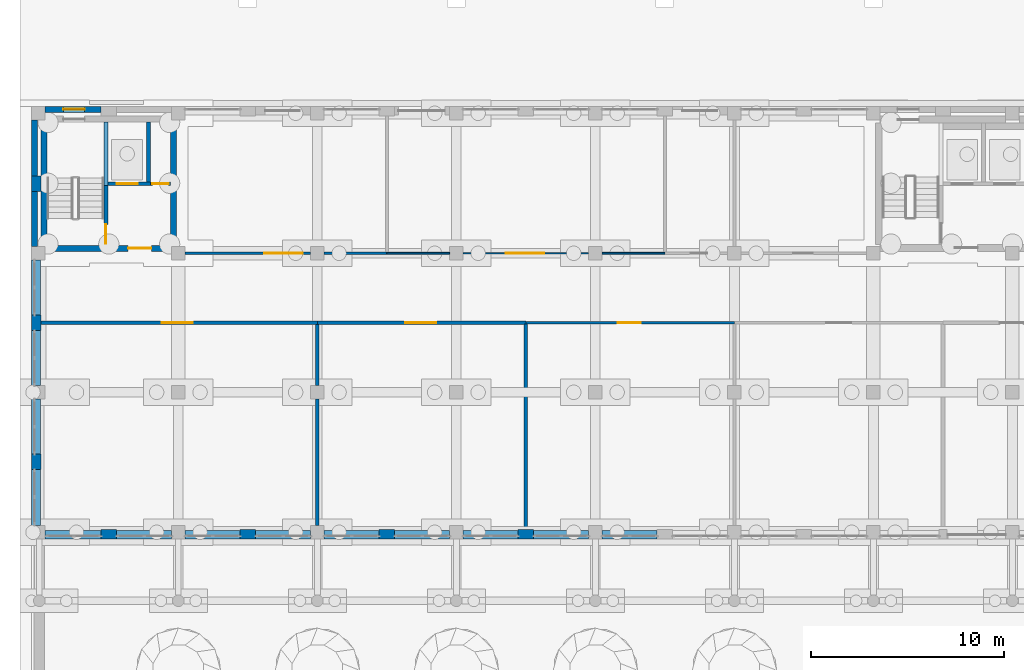
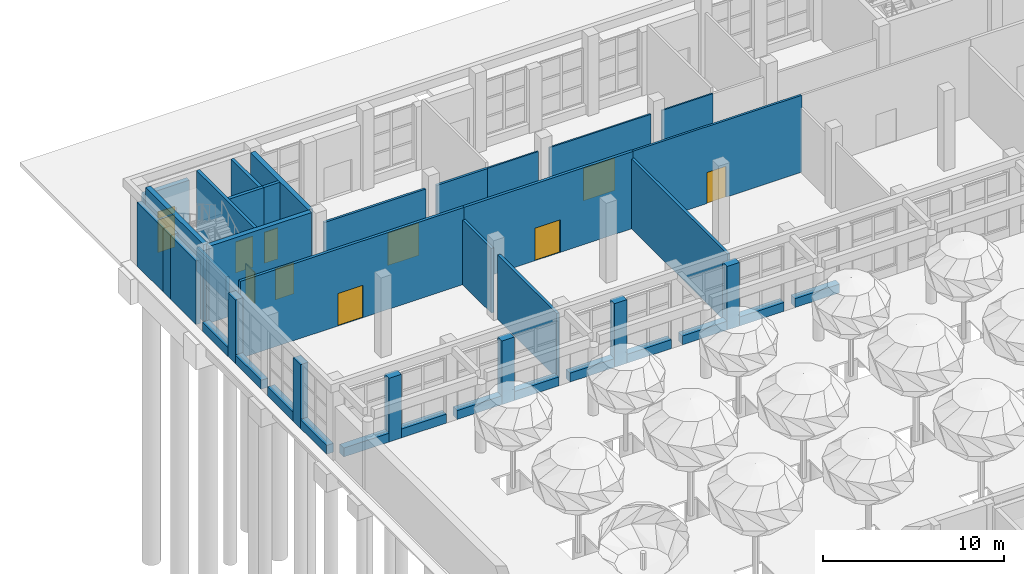
# One storey, part 48 of 80: 42 walls, 10 doors, 1 window, 11 openings.
"""IFC4 building model written with IfcOpenShell, lengths in metres."""

from ifc_helpers import new_model, si_unit, direction, frame, frame_2d, origin, place, context, subcontext, project, spatial, rectangle, extrude, material, layer, layer_set, type_object, element, fill, save


model = new_model("IFC4")

# Units and contexts
model_context = context("Model", 3, precision=1e-05, world=origin(), true_north=direction((0.0, 1.0)))
body_context = subcontext(model_context, "Body", "Model", "MODEL_VIEW")
ifc_project = project(units=[si_unit("LENGTHUNIT", "METRE"), si_unit("AREAUNIT", "SQUARE_METRE"), si_unit("VOLUMEUNIT", "CUBIC_METRE"), si_unit("PLANEANGLEUNIT", "RADIAN"), si_unit("MASSUNIT", "GRAM", prefix="KILO")], contexts=[model_context])

# Site, building, storey
site_placement = place(None, origin())
site = spatial("IfcSite", under=ifc_project, at=site_placement, CompositionType="ELEMENT")
building_placement = place(site_placement, origin())
building = spatial("IfcBuilding", under=site, at=building_placement, Name="Ussher Court Research Institute", CompositionType="ELEMENT")
storey_placement = place(building_placement, origin())
storey = spatial("IfcBuildingStorey", under=building, at=storey_placement, Name="L00", CompositionType="ELEMENT", Elevation=0.0)

# Walls
ifc_material_1 = material(Name="Limestone facing on blockwork", Category="masonry")
ifc_layer_1 = layer(ifc_material_1, 0.300048828125)
ifc_layer_set_1 = layer_set([ifc_layer_1], Name="Limestone facing on blockwork")
wall_type_1 = type_object("IfcWallType", Name="External wall 300 stair enclosure", PredefinedType="SOLIDWALL", material=ifc_layer_set_1)
wall_1_placement = place(storey_placement, frame((2.75, 83.550048828125, 0.0), z_axis=(0.0, 0.0, 1.0), x_axis=(0.0, 1.0, 0.0)))
element("IfcWall", 1, at=wall_1_placement, inside=storey, type_object=wall_type_1, Name="External wall EW5 L00", PredefinedType="SOLIDWALL", context=body_context, shape_type="SweptSolid", body=[
    extrude(rectangle(XDim=2.849853515625, YDim=0.300048828125, at=frame_2d((1.4248046875, 0.0))), origin(), (0.0, 0.0, 1.0), 4.300048828125),
])
wall_2_placement = place(storey_placement, frame((2.75, 87.199951171875, 0.0), z_axis=(0.0, 0.0, 1.0), x_axis=(0.0, 1.0, 0.0)))
element("IfcWall", 2, at=wall_2_placement, inside=storey, type_object=wall_type_1, Name="External wall EW5 L00", PredefinedType="SOLIDWALL", context=body_context, shape_type="SweptSolid", body=[
    extrude(rectangle(XDim=2.900146484375, YDim=0.300048828125, at=frame_2d((1.4501953125, 0.0))), origin(), (0.0, 0.0, 1.0), 4.300048828125),
])

# Wall, openings, door, window
wall_3_placement = place(storey_placement, frame((3.300048828125, 90.64990234375, 0.0), z_axis=(0.0, 0.0, 1.0), x_axis=(1.0, 0.0, 0.0)))
wall_3 = element("IfcWall", 3, at=wall_3_placement, inside=storey, type_object=wall_type_1, Name="External wall EW5 L00", PredefinedType="SOLIDWALL", context=body_context, shape_type="SweptSolid", body=[
    extrude(rectangle(XDim=2.89990234375, YDim=0.300048828125, at=frame_2d((1.449951171875, 0.0))), origin(), (0.0, 0.0, 1.0), 4.300048828125),
])
opening_1_placement = place(wall_3_placement, frame((0.949951171875, 0.0, 0.0)))
opening_1 = element("IfcOpeningElement", 4, at=opening_1_placement, cuts=wall_3, Name="Opening DX16", PredefinedType="OPENING", context=body_context, shape_type="SweptSolid", body=[
    extrude(rectangle(XDim=1.10009765625, YDim=2.199951171875, at=frame_2d((0.550048828125, 1.10009765625))), frame((0.0, 0.16015625, 0.0), z_axis=(0.0, -1.0, 0.0), x_axis=(1.0, 0.0, 0.0)), (0.0, 0.0, 1.0), 0.320068359375),
])
opening_2_placement = place(wall_3_placement, frame((0.949951171875, 0.0, 2.300048828125)))
opening_2 = element("IfcOpeningElement", 5, at=opening_2_placement, cuts=wall_3, Name="Opening W18", PredefinedType="OPENING", context=body_context, shape_type="SweptSolid", body=[
    extrude(rectangle(XDim=1.10009765625, YDim=0.449951171875, at=frame_2d((0.550048828125, 0.22509765625))), frame((0.0, 0.16015625, 0.0), z_axis=(0.0, -1.0, 0.0), x_axis=(1.0, 0.0, 0.0)), (0.0, 0.0, 1.0), 0.320068359375),
])
ifc_material_2 = material(Name="Painted steel", Category="steel")
door_type_1 = type_object("IfcDoorType", Name="Stair discharge door 1100x2200", OperationType="SINGLE_SWING_LEFT", PredefinedType="DOOR", material=ifc_material_2)
door_1_placement = place(opening_1_placement, origin())
door_1 = element("IfcDoor", 6, at=door_1_placement, inside=storey, type_object=door_type_1, Name="Door DX16", OperationType="SINGLE_SWING_LEFT", OverallHeight=2.199951171875, OverallWidth=1.10009765625, PredefinedType="DOOR", context=body_context, shape_type="SweptSolid", body=[
    extrude(rectangle(XDim=1.10009765625, YDim=2.199951171875, at=frame_2d((0.550048828125, 1.10009765625))), frame((0.0, 0.02490234375, 0.0), z_axis=(0.0, -1.0, 0.0), x_axis=(1.0, 0.0, 0.0)), (0.0, 0.0, 1.0), 0.050048828125),
])
fill(opening_1, door_1)
ifc_material_3 = material(Name="Bronze anodised aluminium with double glazing", Category="aluminium")
window_type = type_object("IfcWindowType", Name="Stair discharge transom light 1100x450", PartitioningType="SINGLE_PANEL", PredefinedType="WINDOW", material=ifc_material_3)
window_placement = place(opening_2_placement, origin())
window = element("IfcWindow", 7, at=window_placement, inside=storey, type_object=window_type, Name="Window W18 L00", OverallHeight=0.449951171875, OverallWidth=1.10009765625, PartitioningType="SINGLE_PANEL", PredefinedType="WINDOW", context=body_context, shape_type="SweptSolid", body=[
    extrude(rectangle(XDim=1.10009765625, YDim=0.449951171875, at=frame_2d((0.550048828125, 0.22509765625))), frame((0.0, 0.030029296875, 0.0), z_axis=(0.0, -1.0, 0.0), x_axis=(1.0, 0.0, 0.0)), (0.0, 0.0, 1.0), 0.06005859375),
])
fill(opening_2, window)

# Wall, opening, door
ifc_material_4 = material(Name="Plastered blockwork", Category="masonry")
ifc_layer_2 = layer(ifc_material_4, 0.14990234375)
ifc_layer_set_2 = layer_set([ifc_layer_2], Name="Plastered blockwork")
wall_type_2 = type_object("IfcWallType", Name="Fire partition blockwork 150 EI 60", PredefinedType="PARTITIONING", material=ifc_layer_set_2)
wall_4_placement = place(storey_placement, frame((10.550048828125, 83.199951171875, 0.0), z_axis=(0.0, 0.0, 1.0), x_axis=(1.0, 0.0, 0.0)))
wall_4 = element("IfcWall", 8, at=wall_4_placement, inside=storey, type_object=wall_type_2, Name="Fire partition", PredefinedType="PARTITIONING", context=body_context, shape_type="SweptSolid", body=[
    extrude(rectangle(XDim=6.5, YDim=0.14990234375, at=frame_2d((3.25, 0.0))), origin(), (0.0, 0.0, 1.0), 4.3701171875),
])
opening_3_placement = place(wall_4_placement, frame((4.10009765625, 0.0, 0.0)))
opening_3 = element("IfcOpeningElement", 9, at=opening_3_placement, cuts=wall_4, Name="Opening D00015", PredefinedType="OPENING", context=body_context, shape_type="SweptSolid", body=[
    extrude(rectangle(XDim=2.0, YDim=2.199951171875, at=frame_2d((1.0, 1.10009765625))), frame((0.0, 0.0849609375, 0.0), z_axis=(0.0, -1.0, 0.0), x_axis=(1.0, 0.0, 0.0)), (0.0, 0.0, 1.0), 0.169921875),
])
ifc_material_5 = material(Name="Painted steel faced fire door", Category="steel")
door_type_2 = type_object("IfcDoorType", Name="Stage and goods door 2000x2200 FD60 double leaf", OperationType="DOUBLE_DOOR_SINGLE_SWING", PredefinedType="DOOR", material=ifc_material_5)
door_2_placement = place(opening_3_placement, origin())
door_2 = element("IfcDoor", 10, at=door_2_placement, inside=storey, type_object=door_type_2, Name="Door D00015", OperationType="SINGLE_SWING_LEFT", OverallHeight=2.199951171875, OverallWidth=2.0, PredefinedType="DOOR", context=body_context, shape_type="SweptSolid", body=[
    extrude(rectangle(XDim=2.0, YDim=2.199951171875, at=frame_2d((1.0, 1.10009765625))), frame((0.0, 0.02490234375, 0.0), z_axis=(0.0, -1.0, 0.0), x_axis=(1.0, 0.0, 0.0)), (0.0, 0.0, 1.0), 0.050048828125),
])
fill(opening_3, door_2)

# Wall
wall_5_placement = place(storey_placement, frame((17.75, 83.199951171875, 0.0), z_axis=(0.0, 0.0, 1.0), x_axis=(1.0, 0.0, 0.0)))
element("IfcWall", 11, at=wall_5_placement, inside=storey, type_object=wall_type_2, Name="Fire partition", PredefinedType="PARTITIONING", context=body_context, shape_type="SweptSolid", body=[
    extrude(rectangle(XDim=3.25, YDim=0.14990234375, at=frame_2d((1.625, 0.0))), origin(), (0.0, 0.0, 1.0), 4.3701171875),
])

# Wall, opening, door
ifc_material_6 = material(Name="Plastered blockwork", Category="masonry")
ifc_layer_3 = layer(ifc_material_6, 0.139892578125)
ifc_layer_set_3 = layer_set([ifc_layer_3], Name="Plastered blockwork")
wall_type_3 = type_object("IfcWallType", Name="Laboratory blockwork partition 140", PredefinedType="PARTITIONING", material=ifc_layer_set_3)
wall_6_placement = place(storey_placement, frame((39.0, 79.60009765625, 0.0), z_axis=(0.0, 0.0, 1.0), x_axis=(-1.0, 0.0, 0.0)))
wall_6 = element("IfcWall", 12, at=wall_6_placement, inside=storey, type_object=wall_type_3, Name="Partition", PredefinedType="PARTITIONING", context=body_context, shape_type="SweptSolid", body=[
    extrude(rectangle(XDim=10.800048828125, YDim=0.139892578125, at=frame_2d((5.39990234375, 0.0))), origin(), (0.0, 0.0, 1.0), 5.199951171875),
])
opening_4_placement = place(wall_6_placement, frame((4.85009765625, 0.0, 0.0)))
opening_4 = element("IfcOpeningElement", 13, at=opening_4_placement, cuts=wall_6, Name="Opening D00033", PredefinedType="OPENING", context=body_context, shape_type="SweptSolid", body=[
    extrude(rectangle(XDim=1.199951171875, YDim=2.10009765625, at=frame_2d((0.60009765625, 1.050048828125))), frame((0.0, 0.080078125, 0.0), z_axis=(0.0, -1.0, 0.0), x_axis=(1.0, 0.0, 0.0)), (0.0, 0.0, 1.0), 0.159912109375),
])
ifc_material_7 = material(Name="Veneered timber door", Category="wood")
door_type_3 = type_object("IfcDoorType", Name="Laboratory door 1200x2100", OperationType="NOTDEFINED", PredefinedType="DOOR", material=ifc_material_7)
door_3_placement = place(opening_4_placement, origin())
door_3 = element("IfcDoor", 14, at=door_3_placement, inside=storey, type_object=door_type_3, Name="Door D00033", OperationType="SINGLE_SWING_RIGHT", OverallHeight=2.10009765625, OverallWidth=1.199951171875, PredefinedType="DOOR", context=body_context, shape_type="SweptSolid", body=[
    extrude(rectangle(XDim=1.199951171875, YDim=2.10009765625, at=frame_2d((0.60009765625, 1.050048828125))), frame((0.0, 0.02490234375, 0.0), z_axis=(0.0, -1.0, 0.0), x_axis=(1.0, 0.0, 0.0)), (0.0, 0.0, 1.0), 0.050048828125),
])
fill(opening_4, door_3)

# Wall
ifc_material_8 = material(Name="Plastered blockwork", Category="masonry")
ifc_layer_4 = layer(ifc_material_8, 0.10009765625)
ifc_layer_set_4 = layer_set([ifc_layer_4], Name="Plastered blockwork")
wall_type_4 = type_object("IfcWallType", Name="Partition plastered blockwork 100", PredefinedType="PARTITIONING", material=ifc_layer_set_4)
wall_7_placement = place(storey_placement, frame((21.0, 83.199951171875, 0.0), z_axis=(0.0, 0.0, 1.0), x_axis=(1.0, 0.0, 0.0)))
element("IfcWall", 15, at=wall_7_placement, inside=storey, type_object=wall_type_4, Name="Partition", PredefinedType="PARTITIONING", context=body_context, shape_type="SweptSolid", body=[
    extrude(rectangle(XDim=3.25, YDim=0.10009765625, at=frame_2d((1.625, 0.0))), origin(), (0.0, 0.0, 1.0), 4.3701171875),
])

# Wall, opening, door
wall_8_placement = place(storey_placement, frame((24.949951171875, 83.199951171875, 0.0), z_axis=(0.0, 0.0, 1.0), x_axis=(1.0, 0.0, 0.0)))
wall_8 = element("IfcWall", 16, at=wall_8_placement, inside=storey, type_object=wall_type_4, Name="Partition", PredefinedType="PARTITIONING", context=body_context, shape_type="SweptSolid", body=[
    extrude(rectangle(XDim=6.5, YDim=0.10009765625, at=frame_2d((3.25, 0.0))), origin(), (0.0, 0.0, 1.0), 4.3701171875),
])
opening_5_placement = place(wall_8_placement, frame((2.199951171875, 0.0, 0.0)))
opening_5 = element("IfcOpeningElement", 17, at=opening_5_placement, cuts=wall_8, Name="Opening D00027", PredefinedType="OPENING", context=body_context, shape_type="SweptSolid", body=[
    extrude(rectangle(XDim=2.0, YDim=2.199951171875, at=frame_2d((1.0, 1.10009765625))), frame((0.0, 0.06005859375, 0.0), z_axis=(0.0, -1.0, 0.0), x_axis=(1.0, 0.0, 0.0)), (0.0, 0.0, 1.0), 0.1201171875),
])
ifc_material_9 = material(Name="Veneered timber door", Category="wood")
door_type_4 = type_object("IfcDoorType", Name="Stage and goods door 2000x2200 double leaf", OperationType="DOUBLE_DOOR_SINGLE_SWING", PredefinedType="DOOR", material=ifc_material_9)
door_4_placement = place(opening_5_placement, origin())
door_4 = element("IfcDoor", 18, at=door_4_placement, inside=storey, type_object=door_type_4, Name="Door D00027", OperationType="SINGLE_SWING_LEFT", OverallHeight=2.199951171875, OverallWidth=2.0, PredefinedType="DOOR", context=body_context, shape_type="SweptSolid", body=[
    extrude(rectangle(XDim=2.0, YDim=2.199951171875, at=frame_2d((1.0, 1.10009765625))), frame((0.0, 0.02490234375, 0.0), z_axis=(0.0, -1.0, 0.0), x_axis=(1.0, 0.0, 0.0)), (0.0, 0.0, 1.0), 0.050048828125),
])
fill(opening_5, door_4)

# Walls
wall_9_placement = place(storey_placement, frame((32.14990234375, 83.199951171875, 0.0), z_axis=(0.0, 0.0, 1.0), x_axis=(1.0, 0.0, 0.0)))
element("IfcWall", 19, at=wall_9_placement, inside=storey, type_object=wall_type_4, Name="Partition", PredefinedType="PARTITIONING", context=body_context, shape_type="SweptSolid", body=[
    extrude(rectangle(XDim=3.25, YDim=0.10009765625, at=frame_2d((1.625, 0.0))), origin(), (0.0, 0.0, 1.0), 4.3701171875),
])
ifc_material_10 = material(Name="Rusticated limestone facing on blockwork", Category="masonry")
ifc_layer_5 = layer(ifc_material_10, 0.5)
ifc_layer_set_5 = layer_set([ifc_layer_5], Name="Rusticated limestone facing on blockwork")
wall_type_5 = type_object("IfcWallType", Name="Pier 800x500 rusticated limestone", PredefinedType="SOLIDWALL", material=ifc_layer_set_5)
for number, where, z_axis, x_axis, name in (
    (20, (2.85009765625, 72.0, 0.0), (0.0, 0.0, 1.0), (0.0, 1.0, 0.0), "Pier PR2 L00"),
    (21, (2.85009765625, 79.199951171875, 0.0), (0.0, 0.0, 1.0), (0.0, 1.0, 0.0), "Pier PR2 L00"),
    (22, (2.85009765625, 86.39990234375, 0.0), (0.0, 0.0, 1.0), (0.0, 1.0, 0.0), "Pier PR2 L00"),
    (23, (28.60009765625, 68.64990234375, 0.0), (0.0, 0.0, 1.0), (-1.0, 0.0, 0.0), "Pier PR2 L00"),
):
    element("IfcWall", number, at=place(storey_placement, frame(where, z_axis=z_axis, x_axis=x_axis)), inside=storey, type_object=wall_type_5, Name=name, PredefinedType="SOLIDWALL", context=body_context, shape_type="SweptSolid", body=[
        extrude(rectangle(XDim=0.800048828125, YDim=0.5, at=frame_2d((0.39990234375, 0.0))), origin(), (0.0, 0.0, 1.0), 4.300048828125),
    ])
wall_10_placement = place(storey_placement, frame((21.39990234375, 68.64990234375, 0.0), z_axis=(0.0, 0.0, 1.0), x_axis=(-1.0, 0.0, 0.0)))
element("IfcWall", 24, at=wall_10_placement, inside=storey, type_object=wall_type_5, Name="Pier PR2 L00", PredefinedType="SOLIDWALL", context=body_context, shape_type="SweptSolid", body=[
    extrude(rectangle(XDim=0.7998046875, YDim=0.5, at=frame_2d((0.39990234375, 0.0))), origin(), (0.0, 0.0, 1.0), 4.300048828125),
])
for number, where, z_axis, x_axis, name in (
    (25, (14.199951171875, 68.64990234375, 0.0), (0.0, 0.0, 1.0), (-1.0, 0.0, 0.0), "Pier PR2 L00"),
    (26, (7.0, 68.64990234375, 0.0), (0.0, 0.0, 1.0), (-1.0, 0.0, 0.0), "Pier PR2 L00"),
):
    element("IfcWall", number, at=place(storey_placement, frame(where, z_axis=z_axis, x_axis=x_axis)), inside=storey, type_object=wall_type_5, Name=name, PredefinedType="SOLIDWALL", context=body_context, shape_type="SweptSolid", body=[
        extrude(rectangle(XDim=0.800048828125, YDim=0.5, at=frame_2d((0.39990234375, 0.0))), origin(), (0.0, 0.0, 1.0), 4.300048828125),
    ])
ifc_material_11 = material(Name="Rusticated limestone facing on blockwork", Category="masonry")
ifc_layer_6 = layer(ifc_material_11, 0.449951171875)
ifc_layer_set_6 = layer_set([ifc_layer_6], Name="Rusticated limestone facing on blockwork")
wall_type_6 = type_object("IfcWallType", Name="Plinth wall 450 rusticated limestone", PredefinedType="SOLIDWALL", material=ifc_layer_set_6)
wall_11_placement = place(storey_placement, frame((2.824951171875, 69.10009765625, 0.0), z_axis=(0.0, 0.0, 1.0), x_axis=(0.0, 1.0, 0.0)))
element("IfcWall", 27, at=wall_11_placement, inside=storey, type_object=wall_type_6, Name="Plinth wall EW4 L00", PredefinedType="SOLIDWALL", context=body_context, shape_type="SweptSolid", body=[
    extrude(rectangle(XDim=2.89990234375, YDim=0.449951171875, at=frame_2d((1.449951171875, 0.0))), origin(), (0.0, 0.0, 1.0), 0.60009765625),
])
for number, where, z_axis, x_axis, name in (
    (28, (2.824951171875, 72.800048828125, 0.0), (0.0, 0.0, 1.0), (0.0, 1.0, 0.0), "Plinth wall EW4 L00"),
    (29, (2.824951171875, 76.35009765625, 0.0), (0.0, 0.0, 1.0), (0.0, 1.0, 0.0), "Plinth wall EW4 L00"),
):
    element("IfcWall", number, at=place(storey_placement, frame(where, z_axis=z_axis, x_axis=x_axis)), inside=storey, type_object=wall_type_6, Name=name, PredefinedType="SOLIDWALL", context=body_context, shape_type="SweptSolid", body=[
        extrude(rectangle(XDim=2.849853515625, YDim=0.449951171875, at=frame_2d((1.4248046875, 0.0))), origin(), (0.0, 0.0, 1.0), 0.60009765625),
    ])
for number, where, z_axis, x_axis, name in (
    (30, (2.824951171875, 80.0, 0.0), (0.0, 0.0, 1.0), (0.0, 1.0, 0.0), "Plinth wall EW4 L00"),
    (31, (35.0, 68.625, 0.0), (0.0, 0.0, 1.0), (-1.0, 0.0, 0.0), "Plinth wall EW4 L00"),
):
    element("IfcWall", number, at=place(storey_placement, frame(where, z_axis=z_axis, x_axis=x_axis)), inside=storey, type_object=wall_type_6, Name=name, PredefinedType="SOLIDWALL", context=body_context, shape_type="SweptSolid", body=[
        extrude(rectangle(XDim=2.85009765625, YDim=0.449951171875, at=frame_2d((1.425048828125, 0.0))), origin(), (0.0, 0.0, 1.0), 0.60009765625),
    ])
wall_12_placement = place(storey_placement, frame((31.449951171875, 68.625, 0.0), z_axis=(0.0, 0.0, 1.0), x_axis=(-1.0, 0.0, 0.0)))
element("IfcWall", 32, at=wall_12_placement, inside=storey, type_object=wall_type_6, Name="Plinth wall EW4 L00", PredefinedType="SOLIDWALL", context=body_context, shape_type="SweptSolid", body=[
    extrude(rectangle(XDim=2.849853515625, YDim=0.449951171875, at=frame_2d((1.4248046875, 0.0))), origin(), (0.0, 0.0, 1.0), 0.60009765625),
])
for number, where, z_axis, x_axis, name in (
    (33, (27.800048828125, 68.625, 0.0), (0.0, 0.0, 1.0), (-1.0, 0.0, 0.0), "Plinth wall EW4 L00"),
    (34, (24.25, 68.625, 0.0), (0.0, 0.0, 1.0), (-1.0, 0.0, 0.0), "Plinth wall EW4 L00"),
    (35, (20.60009765625, 68.625, 0.0), (0.0, 0.0, 1.0), (-1.0, 0.0, 0.0), "Plinth wall EW4 L00"),
    (36, (17.050048828125, 68.625, 0.0), (0.0, 0.0, 1.0), (-1.0, 0.0, 0.0), "Plinth wall EW4 L00"),
):
    element("IfcWall", number, at=place(storey_placement, frame(where, z_axis=z_axis, x_axis=x_axis)), inside=storey, type_object=wall_type_6, Name=name, PredefinedType="SOLIDWALL", context=body_context, shape_type="SweptSolid", body=[
        extrude(rectangle(XDim=2.85009765625, YDim=0.449951171875, at=frame_2d((1.425048828125, 0.0))), origin(), (0.0, 0.0, 1.0), 0.60009765625),
    ])
wall_13_placement = place(storey_placement, frame((13.39990234375, 68.625, 0.0), z_axis=(0.0, 0.0, 1.0), x_axis=(-1.0, 0.0, 0.0)))
element("IfcWall", 37, at=wall_13_placement, inside=storey, type_object=wall_type_6, Name="Plinth wall EW4 L00", PredefinedType="SOLIDWALL", context=body_context, shape_type="SweptSolid", body=[
    extrude(rectangle(XDim=2.849853515625, YDim=0.449951171875, at=frame_2d((1.4248046875, 0.0))), origin(), (0.0, 0.0, 1.0), 0.60009765625),
])
wall_14_placement = place(storey_placement, frame((9.85009765625, 68.625, 0.0), z_axis=(0.0, 0.0, 1.0), x_axis=(-1.0, 0.0, 0.0)))
element("IfcWall", 38, at=wall_14_placement, inside=storey, type_object=wall_type_6, Name="Plinth wall EW4 L00", PredefinedType="SOLIDWALL", context=body_context, shape_type="SweptSolid", body=[
    extrude(rectangle(XDim=2.85009765625, YDim=0.449951171875, at=frame_2d((1.425048828125, 0.0))), origin(), (0.0, 0.0, 1.0), 0.60009765625),
])
wall_15_placement = place(storey_placement, frame((6.199951171875, 68.625, 0.0), z_axis=(0.0, 0.0, 1.0), x_axis=(-1.0, 0.0, 0.0)))
element("IfcWall", 39, at=wall_15_placement, inside=storey, type_object=wall_type_6, Name="Plinth wall EW4 L00", PredefinedType="SOLIDWALL", context=body_context, shape_type="SweptSolid", body=[
    extrude(rectangle(XDim=2.89990234375, YDim=0.449951171875, at=frame_2d((1.449951171875, 0.0))), origin(), (0.0, 0.0, 1.0), 0.60009765625),
])

# Wall, opening, door
ifc_material_12 = material(Name="Concrete C35/45", Category="concrete")
ifc_layer_7 = layer(ifc_material_12, 0.199951171875)
ifc_layer_set_7 = layer_set([ifc_layer_7], Name="Concrete C35/45")
wall_type_7 = type_object("IfcWallType", Name="RC core wall 200", PredefinedType="SHEAR", material=ifc_layer_set_7)
wall_16_placement = place(storey_placement, frame((6.449951171875, 90.0, 0.0), z_axis=(0.0, 0.0, 1.0), x_axis=(0.0, -1.0, 0.0)))
wall_16 = element("IfcWall", 40, at=wall_16_placement, inside=storey, type_object=wall_type_7, Name="Core wall D1", PredefinedType="SHEAR", context=body_context, shape_type="SweptSolid", body=[
    extrude(rectangle(XDim=6.39990234375, YDim=0.199951171875, at=frame_2d((3.199951171875, 0.0))), origin(), (0.0, 0.0, 1.0), 5.199951171875),
])
opening_6_placement = place(wall_16_placement, frame((5.300048828125, 0.0, 0.0)))
opening_6 = element("IfcOpeningElement", 41, at=opening_6_placement, cuts=wall_16, Name="Opening D00004", PredefinedType="OPENING", context=body_context, shape_type="SweptSolid", body=[
    extrude(rectangle(XDim=1.0, YDim=2.10009765625, at=frame_2d((0.5, 1.050048828125))), frame((0.0, 0.10986328125, 0.0), z_axis=(0.0, -1.0, 0.0), x_axis=(1.0, 0.0, 0.0)), (0.0, 0.0, 1.0), 0.219970703125),
])
ifc_material_13 = material(Name="Painted steel faced fire door", Category="steel")
door_type_5 = type_object("IfcDoorType", Name="Fire door 1000x2100 FD60", OperationType="NOTDEFINED", PredefinedType="DOOR", material=ifc_material_13)
door_5_placement = place(opening_6_placement, origin())
door_5 = element("IfcDoor", 42, at=door_5_placement, inside=storey, type_object=door_type_5, Name="Door D00004", OperationType="SINGLE_SWING_RIGHT", OverallHeight=2.10009765625, OverallWidth=1.0, PredefinedType="DOOR", context=body_context, shape_type="SweptSolid", body=[
    extrude(rectangle(XDim=1.0, YDim=2.10009765625, at=frame_2d((0.5, 1.050048828125))), frame((0.0, 0.02490234375, 0.0), z_axis=(0.0, -1.0, 0.0), x_axis=(1.0, 0.0, 0.0)), (0.0, 0.0, 1.0), 0.050048828125),
])
fill(opening_6, door_5)

# Wall
wall_17_placement = place(storey_placement, frame((6.449951171875, 86.699951171875, -1.60009765625), z_axis=(0.0, 0.0, 1.0), x_axis=(0.0, 1.0, 0.0)))
element("IfcWall", 43, at=wall_17_placement, inside=storey, type_object=wall_type_7, Name="Pit wall D1", PredefinedType="SHEAR", context=body_context, shape_type="SweptSolid", body=[
    extrude(rectangle(XDim=3.300048828125, YDim=0.199951171875, at=frame_2d((1.64990234375, 0.0))), origin(), (0.0, 0.0, 1.0), 1.60009765625),
])

# Wall, opening, door
wall_18_placement = place(storey_placement, frame((8.75, 86.800048828125, -1.60009765625), z_axis=(0.0, 0.0, 1.0), x_axis=(-1.0, 0.0, 0.0)))
wall_18 = element("IfcWall", 44, at=wall_18_placement, inside=storey, type_object=wall_type_7, Name="Core wall D1", PredefinedType="SHEAR", context=body_context, shape_type="SweptSolid", body=[
    extrude(rectangle(XDim=2.199951171875, YDim=0.199951171875, at=frame_2d((1.10009765625, 0.0))), origin(), (0.0, 0.0, 1.0), 6.800048828125),
])
opening_7_placement = place(wall_18_placement, frame((0.64990234375, 0.0, 1.60009765625)))
opening_7 = element("IfcOpeningElement", 45, at=opening_7_placement, cuts=wall_18, Name="Opening LD02", PredefinedType="OPENING", context=body_context, shape_type="SweptSolid", body=[
    extrude(rectangle(XDim=1.10009765625, YDim=2.10009765625, at=frame_2d((0.550048828125, 1.050048828125))), frame((0.0, 0.10986328125, 0.0), z_axis=(0.0, -1.0, 0.0), x_axis=(1.0, 0.0, 0.0)), (0.0, 0.0, 1.0), 0.219970703125),
])
ifc_material_14 = material(Name="Stainless steel lift door", Category="steel")
door_type_6 = type_object("IfcDoorType", Name="Lift landing door 1100x2100 sliding", OperationType="DOUBLE_DOOR_SLIDING", PredefinedType="DOOR", material=ifc_material_14)
door_6_placement = place(opening_7_placement, origin())
door_6 = element("IfcDoor", 46, at=door_6_placement, inside=storey, type_object=door_type_6, Name="Landing door D1-1 L00", OperationType="DOUBLE_DOOR_SLIDING", OverallHeight=2.10009765625, OverallWidth=1.10009765625, PredefinedType="DOOR", context=body_context, shape_type="SweptSolid", body=[
    extrude(rectangle(XDim=1.10009765625, YDim=2.10009765625, at=frame_2d((0.550048828125, 1.050048828125))), frame((0.0, 0.02490234375, 0.0), z_axis=(0.0, -1.0, 0.0), x_axis=(1.0, 0.0, 0.0)), (0.0, 0.0, 1.0), 0.050048828125),
])
fill(opening_7, door_6)

wall_19_placement = place(storey_placement, frame((9.800048828125, 86.800048828125, 0.0), z_axis=(0.0, 0.0, 1.0), x_axis=(-1.0, 0.0, 0.0)))
wall_19 = element("IfcWall", 47, at=wall_19_placement, inside=storey, type_object=wall_type_7, Name="Core wall D1", PredefinedType="SHEAR", context=body_context, shape_type="SweptSolid", body=[
    extrude(rectangle(XDim=1.050048828125, YDim=0.199951171875, at=frame_2d((0.52490234375, 0.0))), origin(), (0.0, 0.0, 1.0), 5.199951171875),
])
opening_8_placement = place(wall_19_placement, frame((0.10009765625, 0.0, 0.0)))
opening_8 = element("IfcOpeningElement", 48, at=opening_8_placement, cuts=wall_19, Name="Opening D00010", PredefinedType="OPENING", context=body_context, shape_type="SweptSolid", body=[
    extrude(rectangle(XDim=0.85009765625, YDim=2.10009765625, at=frame_2d((0.425048828125, 1.050048828125))), frame((0.0, 0.10986328125, 0.0), z_axis=(0.0, -1.0, 0.0), x_axis=(1.0, 0.0, 0.0)), (0.0, 0.0, 1.0), 0.219970703125),
])
ifc_material_15 = material(Name="Painted steel faced fire door", Category="steel")
door_type_7 = type_object("IfcDoorType", Name="Fire door 850x2100 FD60", OperationType="NOTDEFINED", PredefinedType="DOOR", material=ifc_material_15)
door_7_placement = place(opening_8_placement, origin())
door_7 = element("IfcDoor", 49, at=door_7_placement, inside=storey, type_object=door_type_7, Name="Door D00010", OperationType="SINGLE_SWING_LEFT", OverallHeight=2.10009765625, OverallWidth=0.85009765625, PredefinedType="DOOR", context=body_context, shape_type="SweptSolid", body=[
    extrude(rectangle(XDim=0.85009765625, YDim=2.10009765625, at=frame_2d((0.425048828125, 1.050048828125))), frame((0.0, 0.02490234375, 0.0), z_axis=(0.0, -1.0, 0.0), x_axis=(1.0, 0.0, 0.0)), (0.0, 0.0, 1.0), 0.050048828125),
])
fill(opening_8, door_7)

# Wall
wall_20_placement = place(storey_placement, frame((8.64990234375, 86.89990234375, -1.60009765625), z_axis=(0.0, 0.0, 1.0), x_axis=(0.0, 1.0, 0.0)))
element("IfcWall", 50, at=wall_20_placement, inside=storey, type_object=wall_type_7, Name="Core wall D1", PredefinedType="SHEAR", context=body_context, shape_type="SweptSolid", body=[
    extrude(rectangle(XDim=3.10009765625, YDim=0.199951171875, at=frame_2d((1.550048828125, 0.0))), origin(), (0.0, 0.0, 1.0), 6.800048828125),
])

# Wall, opening, door
ifc_material_16 = material(Name="Concrete C35/45", Category="concrete")
ifc_layer_8 = layer(ifc_material_16, 0.300048828125)
ifc_layer_set_8 = layer_set([ifc_layer_8], Name="Concrete C35/45")
wall_type_8 = type_object("IfcWallType", Name="RC core wall 300", PredefinedType="SHEAR", material=ifc_layer_set_8)
wall_21_placement = place(storey_placement, frame((3.300048828125, 83.449951171875, 0.0), z_axis=(0.0, 0.0, 1.0), x_axis=(1.0, 0.0, 0.0)))
wall_21 = element("IfcWall", 51, at=wall_21_placement, inside=storey, type_object=wall_type_8, Name="Core wall D1", PredefinedType="SHEAR", context=body_context, shape_type="SweptSolid", body=[
    extrude(rectangle(XDim=6.550048828125, YDim=0.300048828125, at=frame_2d((3.27490234375, 0.0))), origin(), (0.0, 0.0, 1.0), 5.199951171875),
])
opening_9_placement = place(wall_21_placement, frame((4.300048828125, 0.0, 0.0)))
opening_9 = element("IfcOpeningElement", 52, at=opening_9_placement, cuts=wall_21, Name="Opening D00008", PredefinedType="OPENING", context=body_context, shape_type="SweptSolid", body=[
    extrude(rectangle(XDim=1.199951171875, YDim=2.10009765625, at=frame_2d((0.60009765625, 1.050048828125))), frame((0.0, 0.16015625, 0.0), z_axis=(0.0, -1.0, 0.0), x_axis=(1.0, 0.0, 0.0)), (0.0, 0.0, 1.0), 0.320068359375),
])
ifc_material_17 = material(Name="Painted steel faced fire door", Category="steel")
door_type_8 = type_object("IfcDoorType", Name="Fire door 1200x2100 FD60", OperationType="NOTDEFINED", PredefinedType="DOOR", material=ifc_material_17)
door_8_placement = place(opening_9_placement, origin())
door_8 = element("IfcDoor", 53, at=door_8_placement, inside=storey, type_object=door_type_8, Name="Door D00008", OperationType="SINGLE_SWING_RIGHT", OverallHeight=2.10009765625, OverallWidth=1.199951171875, PredefinedType="DOOR", context=body_context, shape_type="SweptSolid", body=[
    extrude(rectangle(XDim=1.199951171875, YDim=2.10009765625, at=frame_2d((0.60009765625, 1.050048828125))), frame((0.0, 0.02490234375, 0.0), z_axis=(0.0, -1.0, 0.0), x_axis=(1.0, 0.0, 0.0)), (0.0, 0.0, 1.0), 0.050048828125),
])
fill(opening_9, door_8)

# Walls
for number, where, z_axis, x_axis, name in (
    (54, (3.25, 83.60009765625, 0.0), (0.0, 0.0, 1.0), (0.0, 1.0, 0.0), "Core wall D1"),
    (55, (9.949951171875, 83.60009765625, 0.0), (0.0, 0.0, 1.0), (0.0, 1.0, 0.0), "Core wall D1"),
):
    element("IfcWall", number, at=place(storey_placement, frame(where, z_axis=z_axis, x_axis=x_axis)), inside=storey, type_object=wall_type_8, Name=name, PredefinedType="SHEAR", context=body_context, shape_type="SweptSolid", body=[
        extrude(rectangle(XDim=6.39990234375, YDim=0.300048828125, at=frame_2d((3.199951171875, 0.0))), origin(), (0.0, 0.0, 1.0), 5.199951171875),
    ])

# Wall, opening, door
ifc_material_18 = material(Name="Plastered blockwork", Category="masonry")
ifc_layer_9 = layer(ifc_material_18, 0.179931640625)
ifc_layer_set_9 = layer_set([ifc_layer_9], Name="Plastered blockwork")
wall_type_9 = type_object("IfcWallType", Name="Workshop block 180 EI 60", PredefinedType="PARTITIONING", material=ifc_layer_set_9)
wall_22_placement = place(storey_placement, frame((17.39990234375, 79.60009765625, 0.0), z_axis=(0.0, 0.0, 1.0), x_axis=(-1.0, 0.0, 0.0)))
wall_22 = element("IfcWall", 56, at=wall_22_placement, inside=storey, type_object=wall_type_9, Name="Fire partition", PredefinedType="PARTITIONING", context=body_context, shape_type="SweptSolid", body=[
    extrude(rectangle(XDim=14.2998046875, YDim=0.179931640625, at=frame_2d((7.14990234375, 0.0))), origin(), (0.0, 0.0, 1.0), 5.199951171875),
])
opening_10_placement = place(wall_22_placement, frame((6.449951171875, 0.0, 0.0)))
opening_10 = element("IfcOpeningElement", 57, at=opening_10_placement, cuts=wall_22, Name="Opening D00011", PredefinedType="OPENING", context=body_context, shape_type="SweptSolid", body=[
    extrude(rectangle(XDim=1.60009765625, YDim=2.199951171875, at=frame_2d((0.800048828125, 1.10009765625))), frame((0.0, 0.10009765625, 0.0), z_axis=(0.0, -1.0, 0.0), x_axis=(1.0, 0.0, 0.0)), (0.0, 0.0, 1.0), 0.199951171875),
])
ifc_material_19 = material(Name="Painted steel faced fire door", Category="steel")
door_type_9 = type_object("IfcDoorType", Name="Workshop door 1600x2200 FD60 double leaf", OperationType="DOUBLE_DOOR_SINGLE_SWING", PredefinedType="DOOR", material=ifc_material_19)
door_9_placement = place(opening_10_placement, origin())
door_9 = element("IfcDoor", 58, at=door_9_placement, inside=storey, type_object=door_type_9, Name="Door D00011", OperationType="SINGLE_SWING_LEFT", OverallHeight=2.199951171875, OverallWidth=1.60009765625, PredefinedType="DOOR", context=body_context, shape_type="SweptSolid", body=[
    extrude(rectangle(XDim=1.60009765625, YDim=2.199951171875, at=frame_2d((0.800048828125, 1.10009765625))), frame((0.0, 0.02490234375, 0.0), z_axis=(0.0, -1.0, 0.0), x_axis=(1.0, 0.0, 0.0)), (0.0, 0.0, 1.0), 0.050048828125),
])
fill(opening_10, door_9)

wall_23_placement = place(storey_placement, frame((28.199951171875, 79.60009765625, 0.0), z_axis=(0.0, 0.0, 1.0), x_axis=(-1.0, 0.0, 0.0)))
wall_23 = element("IfcWall", 59, at=wall_23_placement, inside=storey, type_object=wall_type_9, Name="Fire partition", PredefinedType="PARTITIONING", context=body_context, shape_type="SweptSolid", body=[
    extrude(rectangle(XDim=10.800048828125, YDim=0.179931640625, at=frame_2d((5.39990234375, 0.0))), origin(), (0.0, 0.0, 1.0), 5.199951171875),
])
opening_11_placement = place(wall_23_placement, frame((4.64990234375, 0.0, 0.0)))
opening_11 = element("IfcOpeningElement", 60, at=opening_11_placement, cuts=wall_23, Name="Opening D00018", PredefinedType="OPENING", context=body_context, shape_type="SweptSolid", body=[
    extrude(rectangle(XDim=1.60009765625, YDim=2.199951171875, at=frame_2d((0.800048828125, 1.10009765625))), frame((0.0, 0.10009765625, 0.0), z_axis=(0.0, -1.0, 0.0), x_axis=(1.0, 0.0, 0.0)), (0.0, 0.0, 1.0), 0.199951171875),
])
door_10_placement = place(opening_11_placement, origin())
door_10 = element("IfcDoor", 61, at=door_10_placement, inside=storey, type_object=door_type_9, Name="Door D00018", OperationType="SINGLE_SWING_LEFT", OverallHeight=2.199951171875, OverallWidth=1.60009765625, PredefinedType="DOOR", context=body_context, shape_type="SweptSolid", body=[
    extrude(rectangle(XDim=1.60009765625, YDim=2.199951171875, at=frame_2d((0.800048828125, 1.10009765625))), frame((0.0, 0.02490234375, 0.0), z_axis=(0.0, -1.0, 0.0), x_axis=(1.0, 0.0, 0.0)), (0.0, 0.0, 1.0), 0.050048828125),
])
fill(opening_11, door_10)

# Walls
wall_24_placement = place(storey_placement, frame((17.39990234375, 69.10009765625, 0.0), z_axis=(0.0, 0.0, 1.0), x_axis=(0.0, 1.0, 0.0)))
element("IfcWall", 62, at=wall_24_placement, inside=storey, type_object=wall_type_9, Name="Fire partition", PredefinedType="PARTITIONING", context=body_context, shape_type="SweptSolid", body=[
    extrude(rectangle(XDim=6.5498046875, YDim=0.179931640625, at=frame_2d((3.27490234375, 0.0))), origin(), (0.0, 0.0, 1.0), 4.3701171875),
])
wall_25_placement = place(storey_placement, frame((17.39990234375, 76.35009765625, 0.0), z_axis=(0.0, 0.0, 1.0), x_axis=(0.0, 1.0, 0.0)))
element("IfcWall", 63, at=wall_25_placement, inside=storey, type_object=wall_type_9, Name="Fire partition", PredefinedType="PARTITIONING", context=body_context, shape_type="SweptSolid", body=[
    extrude(rectangle(XDim=3.159912109375, YDim=0.179931640625, at=frame_2d((1.580078125, 0.0))), origin(), (0.0, 0.0, 1.0), 4.3701171875),
])
wall_26_placement = place(storey_placement, frame((28.199951171875, 68.89990234375, 0.0), z_axis=(0.0, 0.0, 1.0), x_axis=(0.0, 1.0, 0.0)))
element("IfcWall", 64, at=wall_26_placement, inside=storey, type_object=wall_type_9, Name="Fire partition", PredefinedType="PARTITIONING", context=body_context, shape_type="SweptSolid", body=[
    extrude(rectangle(XDim=10.630126953125, YDim=0.179931640625, at=frame_2d((5.31494140625, 0.0))), origin(), (0.0, 0.0, 1.0), 4.719970703125),
])

save(model, "model.ifc")
